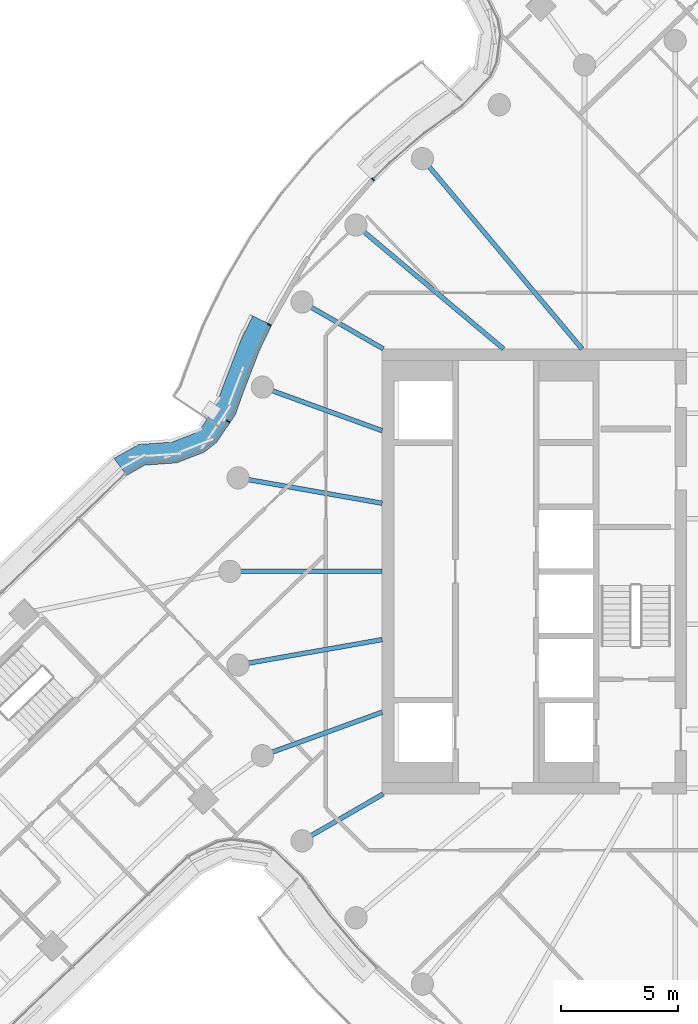
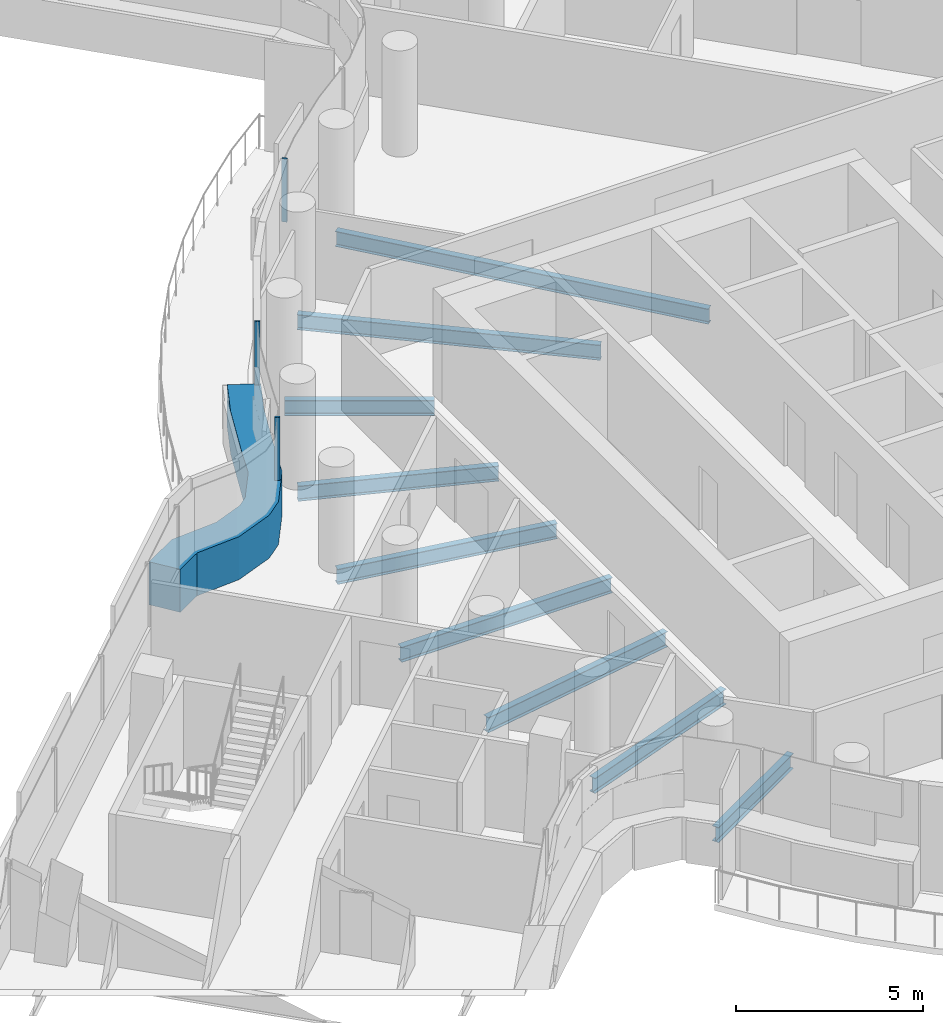
# One storey, part 10 of 34: 9 beams, 4 members, 1 element without a shape of its own.
"""IFC4 building model written with IfcOpenShell, lengths in metres."""

import ifcopenshell
import ifcopenshell.guid

model = None  # the IFC model being written
_history = None  # IfcOwnerHistory: only IFC2X3 demands one
_inside = {}  # id of a spatial element -> (the spatial element, [elements in it])
_under = {}  # id of a project, library or spatial element -> (it, [spatial elements below it])
_declared = {}  # id of a project -> (the project, [libraries it declares])
_typed = {}  # id of a type object -> (the type object, [elements of that type])
_made_of = {}  # id of a material, layer set ... -> (it, [elements and type objects made of it])


def new_model(schema):
    """Start an empty IFC model of exactly this schema.

    Asked for "IFC4X3", IfcOpenShell would pick the latest addendum, in which some entities
    have other attributes; the version numbers below select the first issue.
    IFC2X3 requires an IfcOwnerHistory on every rooted entity: one is made here for all.
    """
    global model, _history
    if schema == "IFC4X3":
        model = ifcopenshell.file(schema_version=(4, 3, 0, 0))
    else:
        model = ifcopenshell.file(schema=schema)
    _inside.clear()
    _under.clear()
    _declared.clear()
    _typed.clear()
    _made_of.clear()
    _history = None
    if model.schema == "IFC2X3":
        org = make("IfcOrganization", Name="unknown")
        user = make(
            "IfcPersonAndOrganization",
            ThePerson=make("IfcPerson", FamilyName="unknown"),
            TheOrganization=org,
        )
        app = make(
            "IfcApplication",
            ApplicationDeveloper=org,
            Version="unknown",
            ApplicationFullName="unknown",
            ApplicationIdentifier="unknown",
        )
        _history = make(
            "IfcOwnerHistory",
            OwningUser=user,
            OwningApplication=app,
            ChangeAction="ADDED",
            CreationDate=0,
        )
    return model


def make(cls, **values):
    """One entity of the class cls with the attributes given. An attribute that is None is left unset."""
    return model.create_entity(
        cls, **{name: value for name, value in values.items() if value is not None}
    )


def rooted(cls, **values):
    """An entity with a GlobalId (a new one), such as an element, a storey or a relation."""
    return make(cls, GlobalId=ifcopenshell.guid.new(), OwnerHistory=_history, **values)


def si_unit(unit_type, name, prefix=None):
    """IfcSIUnit, for example si_unit("LENGTHUNIT", "METRE", prefix="MILLI")."""
    return make("IfcSIUnit", UnitType=unit_type, Prefix=prefix, Name=name)


def assignment(units):
    """IfcUnitAssignment: the units of a project."""
    return None if units is None else make("IfcUnitAssignment", Units=units)


def point(xyz):
    """IfcCartesianPoint."""
    return None if xyz is None else make("IfcCartesianPoint", Coordinates=xyz)


def direction(xyz):
    """IfcDirection."""
    return None if xyz is None else make("IfcDirection", DirectionRatios=xyz)


def frame(location, z_axis=None, x_axis=None):
    """IfcAxis2Placement3D, a coordinate frame: its origin and axes. An axis left out is left unset."""
    return make(
        "IfcAxis2Placement3D",
        Location=point(location),
        Axis=direction(z_axis),
        RefDirection=direction(x_axis),
    )


def frame_2d(location, x_axis=None):
    """IfcAxis2Placement2D, a coordinate frame in the plane: its origin and x axis."""
    return make(
        "IfcAxis2Placement2D", Location=point(location), RefDirection=direction(x_axis)
    )


def origin():
    """The frame at (0, 0, 0) with its axes left unset."""
    return frame((0.0, 0.0, 0.0))


def origin_2d():
    """The frame at (0, 0) in the plane with its x axis left unset."""
    return frame_2d((0.0, 0.0))


def place(relative_to, where):
    """IfcLocalPlacement: puts the frame where relative to a parent placement (None: the world)."""
    return make(
        "IfcLocalPlacement", PlacementRelTo=relative_to, RelativePlacement=where
    )


def context(
    kind, dimensions, precision=None, world=None, true_north=None, identifier=None
):
    """IfcGeometricRepresentationContext, for example the 3D "Model" context."""
    return make(
        "IfcGeometricRepresentationContext",
        ContextIdentifier=identifier,
        ContextType=kind,
        CoordinateSpaceDimension=dimensions,
        Precision=precision,
        WorldCoordinateSystem=world,
        TrueNorth=true_north,
    )


def subcontext(parent, identifier, kind, view, scale=None):
    """IfcGeometricRepresentationSubContext, for example "Body" below "Model"."""
    return make(
        "IfcGeometricRepresentationSubContext",
        ContextIdentifier=identifier,
        ContextType=kind,
        ParentContext=parent,
        TargetScale=scale,
        TargetView=view,
    )


def project(units=None, contexts=None):
    """IfcProject with its units and contexts."""
    return rooted(
        "IfcProject",
        Name="project",
        RepresentationContexts=contexts,
        UnitsInContext=assignment(units),
    )


def spatial(cls, under=None, at=None, **own):
    """A site, building, storey or space (cls), placed at a placement, below another one or the project."""
    s = rooted(cls, ObjectPlacement=at, **own)
    if under is not None:
        _under.setdefault(under.id(), (under, []))[1].append(s)
    return s


def polyline(points):
    """IfcPolyline through the points."""
    return make("IfcPolyline", Points=[point(p) for p in points])


def profile(cls, at=None, kind="AREA", **sizes):
    """A parametric profile (cls). Its sizes go by their IFC names, for example OverallWidth=200.0."""
    return make(cls, ProfileType=kind, Position=at, **sizes)


def rectangle(**sizes):
    """IfcRectangleProfileDef."""
    return profile("IfcRectangleProfileDef", **sizes)


def i_section(**sizes):
    """IfcIShapeProfileDef."""
    return profile("IfcIShapeProfileDef", **sizes)


def outline(outer, holes=None, kind="AREA"):
    """IfcArbitraryClosedProfileDef: a profile drawn as a closed curve; with holes, ...WithVoids."""
    if holes is None:
        return make("IfcArbitraryClosedProfileDef", ProfileType=kind, OuterCurve=outer)
    return make(
        "IfcArbitraryProfileDefWithVoids",
        ProfileType=kind,
        OuterCurve=outer,
        InnerCurves=holes,
    )


def extrude(swept, where, along, depth):
    """IfcExtrudedAreaSolid: the profile swept, set in the frame where, extruded along a direction by depth."""
    return make(
        "IfcExtrudedAreaSolid",
        SweptArea=swept,
        Position=where,
        ExtrudedDirection=direction(along),
        Depth=depth,
    )


def shape(context_of_items, identifier, shape_type, items):
    """IfcShapeRepresentation: the items that make up one representation, for example the "Body"."""
    return make(
        "IfcShapeRepresentation",
        ContextOfItems=context_of_items,
        RepresentationIdentifier=identifier,
        RepresentationType=shape_type,
        Items=items,
    )


def material(Name=None, Category=None):
    """IfcMaterial."""
    return make("IfcMaterial", Name=Name, Category=Category)


def layer(
    of_material, thickness, ventilated=None, Name=None, Category=None, Priority=None
):
    """IfcMaterialLayer: one layer of a wall or slab, of a material (None: an air gap)."""
    return make(
        "IfcMaterialLayer",
        Material=of_material,
        LayerThickness=thickness,
        IsVentilated=ventilated,
        Name=Name,
        Category=Category,
        Priority=Priority,
    )


def layer_set(layers, Name=None):
    """IfcMaterialLayerSet."""
    return make("IfcMaterialLayerSet", MaterialLayers=layers, LayerSetName=Name)


def material_profile(
    of_material, cross_section, Name=None, Category=None, Priority=None
):
    """IfcMaterialProfile: a cross section and its material."""
    return make(
        "IfcMaterialProfile",
        Name=Name,
        Material=of_material,
        Profile=cross_section,
        Priority=Priority,
        Category=Category,
    )


def profile_set(profiles, Name=None, composite=None):
    """IfcMaterialProfileSet."""
    return make(
        "IfcMaterialProfileSet",
        Name=Name,
        MaterialProfiles=profiles,
        CompositeProfile=composite,
    )


def made_of(thing, what):
    """Note that an element or type object is made of a material, layer set ...; save() writes the relation."""
    if what is not None:
        _made_of.setdefault(what.id(), (what, []))[1].append(thing)
    return thing


def type_object(cls, material=None, **own):
    """A type object (cls), such as IfcWallType, which elements share."""
    return made_of(rooted(cls, **own), material)


def element(
    cls,
    number,
    at=None,
    inside=None,
    cuts=None,
    type_object=None,
    material=None,
    context=None,
    identifier="Body",
    shape_type=None,
    held_by="IfcProductDefinitionShape",
    body=None,
    shapes=None,
    **own,
):
    """One element of the class cls, such as IfcWall. Its Tag is "e" and its number.

    at: its placement. inside: the storey or other place that contains it. cuts: it is an
    opening in that element (IfcRelVoidsElement). A single representation is given by context,
    identifier, shape_type and body (its items); several are given by shapes. held_by: the class
    of the entity that holds the representations. save() writes the other relations.
    """
    e = rooted(cls, Tag="e%d" % number, ObjectPlacement=at, **own)
    if body is not None:
        shapes = [shape(context, identifier, shape_type, body)]
    if shapes is not None:
        e.Representation = make(held_by, Representations=shapes)
    if inside is not None:
        _inside.setdefault(inside.id(), (inside, []))[1].append(e)
    if cuts is not None:
        rooted(
            "IfcRelVoidsElement", RelatingBuildingElement=cuts, RelatedOpeningElement=e
        )
    if type_object is not None:
        _typed.setdefault(type_object.id(), (type_object, []))[1].append(e)
    return made_of(e, material)


def aggregate(whole, parts):
    """IfcRelAggregates: a whole, such as a stair, and the parts it consists of."""
    return rooted("IfcRelAggregates", RelatingObject=whole, RelatedObjects=parts)


def save(model, path):
    """Write the relations noted so far, then the file.

    IfcRelAggregates (storeys below a building ...), IfcRelContainedInSpatialStructure (elements
    in a storey), IfcRelDefinesByType, IfcRelAssociatesMaterial and IfcRelDeclares: one each for
    every whole, place, type object, material and project.
    """
    for whole, parts in _under.values():
        aggregate(whole, parts)
    for where, things in _inside.values():
        rooted(
            "IfcRelContainedInSpatialStructure",
            RelatedElements=things,
            RelatingStructure=where,
        )
    for kind, things in _typed.values():
        rooted("IfcRelDefinesByType", RelatedObjects=things, RelatingType=kind)
    for what, things in _made_of.values():
        rooted("IfcRelAssociatesMaterial", RelatedObjects=things, RelatingMaterial=what)
    for by, libraries in _declared.values():
        rooted("IfcRelDeclares", RelatingContext=by, RelatedDefinitions=libraries)
    model.write(path)


model = new_model("IFC4")

# Units and contexts
model_context = context("Model", 3, precision=1e-05, world=origin(), true_north=direction((0.0, 1.0)))
body_context = subcontext(model_context, "Body", "Model", "MODEL_VIEW")
ifc_project = project(units=[si_unit("LENGTHUNIT", "METRE"), si_unit("AREAUNIT", "SQUARE_METRE"), si_unit("VOLUMEUNIT", "CUBIC_METRE"), si_unit("PLANEANGLEUNIT", "RADIAN"), si_unit("MASSUNIT", "GRAM", prefix="KILO")], contexts=[model_context])

# Site, building, storey
site_placement = place(None, origin())
site = spatial("IfcSite", under=ifc_project, at=site_placement, CompositionType="ELEMENT")
building_placement = place(site_placement, origin())
building = spatial("IfcBuilding", under=site, at=building_placement, Name="Tamarind Cross Interchange Tower", CompositionType="ELEMENT")
storey_placement = place(building_placement, frame((0.0, 0.0, 193.300048828125)))
storey = spatial("IfcBuildingStorey", under=building, at=storey_placement, Name="L48", CompositionType="ELEMENT", Elevation=193.300048828125)

# Beams
ifc_material_1 = material(Name="Steel Q355B", Category="steel")
ifc_material_profile_1 = material_profile(ifc_material_1, i_section(OverallWidth=0.198974609375, OverallDepth=0.49609375, WebThickness=0.009033203125, FlangeThickness=0.013916015625, FilletRadius=0.012939453125, at=origin_2d()), Name="HN 496x199x9x14")
ifc_profile_set_1 = profile_set([ifc_material_profile_1], Name="Steel Q355B")
beam_type = type_object("IfcBeamType", Name="Composite beam HN 496x199x9x14 Q355B", PredefinedType="BEAM", material=ifc_profile_set_1)
beam_1_placement = place(storey_placement, frame((-14.7841796875, 17.619140625, -0.387939453125), z_axis=(0.642786293979, -0.766045547127, 0.0), x_axis=(0.766045547127, 0.642786293979, 0.0)))
element("IfcBeam", 1, at=beam_1_placement, inside=storey, type_object=beam_type, Name="Beam HH13", PredefinedType="BEAM", context=body_context, shape_type="SweptSolid", body=[
    extrude(i_section(OverallWidth=0.198974609375, OverallDepth=0.49609375, WebThickness=0.009033203125, FlangeThickness=0.013916015625, FilletRadius=0.012939453125, at=origin_2d()), origin(), (0.0, 0.0, 1.0), 10.598876953125),
])
beam_2_placement = place(storey_placement, frame((-17.619140625, 14.7841796875, -0.387939453125), z_axis=(0.766040580814, -0.642792212574, 0.0), x_axis=(0.642792212574, 0.766040580814, 0.0)))
element("IfcBeam", 2, at=beam_2_placement, inside=storey, type_object=beam_type, Name="Beam HH14", PredefinedType="BEAM", context=body_context, shape_type="SweptSolid", body=[
    extrude(i_section(OverallWidth=0.198974609375, OverallDepth=0.49609375, WebThickness=0.009033203125, FlangeThickness=0.013916015625, FilletRadius=0.012939453125, at=origin_2d()), origin(), (0.0, 0.0, 1.0), 8.220703125),
])
beam_3_placement = place(storey_placement, frame((-19.918701171875, 11.5, -0.387939453125), z_axis=(0.866026010844, -0.49999894854, 0.0), x_axis=(0.49999894854, 0.866026010844, 0.0)))
element("IfcBeam", 3, at=beam_3_placement, inside=storey, type_object=beam_type, Name="Beam HH15", PredefinedType="BEAM", context=body_context, shape_type="SweptSolid", body=[
    extrude(i_section(OverallWidth=0.198974609375, OverallDepth=0.49609375, WebThickness=0.009033203125, FlangeThickness=0.013916015625, FilletRadius=0.012939453125, at=origin_2d()), origin(), (0.0, 0.0, 1.0), 4.0),
])
beam_4_placement = place(storey_placement, frame((-21.613037109375, 7.866455078125, -0.387939453125), z_axis=(0.939701685589, -0.341995236956, 0.0), x_axis=(0.341995236956, 0.939701685589, 0.0)))
element("IfcBeam", 4, at=beam_4_placement, inside=storey, type_object=beam_type, Name="Beam HH16", PredefinedType="BEAM", context=body_context, shape_type="SweptSolid", body=[
    extrude(i_section(OverallWidth=0.198974609375, OverallDepth=0.49609375, WebThickness=0.009033203125, FlangeThickness=0.013916015625, FilletRadius=0.012939453125, at=origin_2d()), origin(), (0.0, 0.0, 1.0), 5.441162109375),
])
beam_5_placement = place(storey_placement, frame((-22.650634765625, 3.993896484375, -0.387939453125), z_axis=(0.984809127561, -0.173640382036, 0.0), x_axis=(0.173640382036, 0.984809127561, 0.0)))
element("IfcBeam", 5, at=beam_5_placement, inside=storey, type_object=beam_type, Name="Beam HH17", PredefinedType="BEAM", context=body_context, shape_type="SweptSolid", body=[
    extrude(i_section(OverallWidth=0.198974609375, OverallDepth=0.49609375, WebThickness=0.009033203125, FlangeThickness=0.013916015625, FilletRadius=0.012939453125, at=origin_2d()), origin(), (0.0, 0.0, 1.0), 6.24560546875),
])
beam_6_placement = place(storey_placement, frame((-23.0, 0.0, -0.387939453125), z_axis=(1.0, 0.0, 0.0), x_axis=(0.0, 1.0, 0.0)))
element("IfcBeam", 6, at=beam_6_placement, inside=storey, type_object=beam_type, Name="Beam HH18", PredefinedType="BEAM", context=body_context, shape_type="SweptSolid", body=[
    extrude(i_section(OverallWidth=0.198974609375, OverallDepth=0.49609375, WebThickness=0.009033203125, FlangeThickness=0.013916015625, FilletRadius=0.012939453125, at=origin_2d()), origin(), (0.0, 0.0, 1.0), 6.5),
])
beam_7_placement = place(storey_placement, frame((-22.650634765625, -3.993896484375, -0.387939453125), z_axis=(0.984809127561, 0.173640382036, 0.0), x_axis=(-0.173640382036, 0.984809127561, 0.0)))
element("IfcBeam", 7, at=beam_7_placement, inside=storey, type_object=beam_type, Name="Beam HH19", PredefinedType="BEAM", context=body_context, shape_type="SweptSolid", body=[
    extrude(i_section(OverallWidth=0.198974609375, OverallDepth=0.49609375, WebThickness=0.009033203125, FlangeThickness=0.013916015625, FilletRadius=0.012939453125, at=origin_2d()), origin(), (0.0, 0.0, 1.0), 6.24560546875),
])
beam_8_placement = place(storey_placement, frame((-21.613037109375, -7.866455078125, -0.387939453125), z_axis=(0.939701685589, 0.341995236956, 0.0), x_axis=(-0.341995236956, 0.939701685589, 0.0)))
element("IfcBeam", 8, at=beam_8_placement, inside=storey, type_object=beam_type, Name="Beam HH20", PredefinedType="BEAM", context=body_context, shape_type="SweptSolid", body=[
    extrude(i_section(OverallWidth=0.198974609375, OverallDepth=0.49609375, WebThickness=0.009033203125, FlangeThickness=0.013916015625, FilletRadius=0.012939453125, at=origin_2d()), origin(), (0.0, 0.0, 1.0), 5.441162109375),
])
beam_9_placement = place(storey_placement, frame((-19.918701171875, -11.5, -0.387939453125), z_axis=(0.866026010844, 0.49999894854, 0.0), x_axis=(-0.49999894854, 0.866026010844, 0.0)))
element("IfcBeam", 9, at=beam_9_placement, inside=storey, type_object=beam_type, Name="Beam HH21", PredefinedType="BEAM", context=body_context, shape_type="SweptSolid", body=[
    extrude(i_section(OverallWidth=0.198974609375, OverallDepth=0.49609375, WebThickness=0.009033203125, FlangeThickness=0.013916015625, FilletRadius=0.012939453125, at=origin_2d()), origin(), (0.0, 0.0, 1.0), 4.0),
])

# Curtain wall, members
ifc_material_2 = material(Name="Aluminium 6063-T6", Category="aluminium")
ifc_layer = layer(ifc_material_2, 0.139892578125)
ifc_layer_set = layer_set([ifc_layer], Name="Aluminium 6063-T6")
curtain_wall_type = type_object("IfcCurtainWallType", Name="Hotel curtain wall, 4.5 m bays", PredefinedType="NOTDEFINED", material=ifc_layer_set)
curtain_wall_placement = place(storey_placement, origin())
curtain_wall = element("IfcCurtainWall", 10, at=curtain_wall_placement, inside=storey, type_object=curtain_wall_type, Name="CWS-L48-10", PredefinedType="NOTDEFINED")
ifc_material_3 = material(Name="Aluminium and insulated spandrel panel", Category="aluminium")
member_type_1 = type_object("IfcMemberType", Name="Floor-edge blade transom", PredefinedType="USERDEFINED", material=ifc_material_3)
member_1_placement = place(storey_placement, origin())
member_1 = element("IfcMember", 11, at=member_1_placement, type_object=member_type_1, Name="CWT-L48-10-1", ObjectType="TRANSOM", PredefinedType="USERDEFINED", context=body_context, shape_type="SweptSolid", body=[
    extrude(outline(polyline([(-21.2158203125, 10.510498046875), (-21.74072265625, 9.425048828125), (-22.447509765625, 7.58984375), (-22.764404296875, 6.691650390625), (-23.5595703125, 5.5126953125), (-24.088623046875, 5.0908203125), (-25.27734375, 4.630859375), (-26.6328125, 4.53369140625), (-27.406494140625, 4.095947265625), (-27.948486328125, 4.823486328125), (-26.8994140625, 5.416748046875), (-25.476318359375, 5.518798828125), (-24.5419921875, 5.88037109375), (-24.228759765625, 6.13037109375), (-23.574951171875, 7.099609375), (-23.2919921875, 7.9013671875), (-22.567138671875, 9.783203125), (-22.022216796875, 10.909912109375), (-21.2158203125, 10.510498046875)])), origin(), (0.0, 0.0, 1.0), 1.39990234375),
])
ifc_material_profile_2 = material_profile(ifc_material_2, rectangle(XDim=0.06005859375, YDim=0.139892578125, at=origin_2d()), Name="Mullion CW2")
ifc_profile_set_2 = profile_set([ifc_material_profile_2], Name="Aluminium 6063-T6")
member_type_2 = type_object("IfcMemberType", Name="Mullion CW2", PredefinedType="MULLION", material=ifc_profile_set_2)
member_2_placement = place(storey_placement, frame((-16.89794921875, 16.72509765625, 1.39990234375), z_axis=(0.0, 0.0, 1.0), x_axis=(-0.704057148523, -0.710143317658, 0.0)))
member_2 = element("IfcMember", 12, at=member_2_placement, type_object=member_type_2, Name="CWM-L48-10-02", PredefinedType="MULLION", context=body_context, shape_type="SweptSolid", body=[
    extrude(rectangle(XDim=0.06005859375, YDim=0.139892578125, at=origin_2d()), origin(), (0.0, 0.0, 1.0), 2.06005859375),
])
member_3_placement = place(storey_placement, frame((-21.318359375, 10.528076171875, 1.39990234375), z_axis=(0.0, 0.0, 1.0), x_axis=(-0.435326231914, -0.900272776334, 0.0)))
member_3 = element("IfcMember", 13, at=member_3_placement, type_object=member_type_2, Name="CWM-L48-10-03", PredefinedType="MULLION", context=body_context, shape_type="SweptSolid", body=[
    extrude(rectangle(XDim=0.06005859375, YDim=0.139892578125, at=origin_2d()), origin(), (0.0, 0.0, 1.0), 2.06005859375),
])
member_4_placement = place(storey_placement, frame((-23.0791015625, 6.40380859375, 1.39990234375), z_axis=(0.0, 0.0, 1.0), x_axis=(-0.559224583515, -0.829016203215, 0.0)))
member_4 = element("IfcMember", 14, at=member_4_placement, type_object=member_type_2, Name="CWM-L48-10-04", PredefinedType="MULLION", context=body_context, shape_type="SweptSolid", body=[
    extrude(rectangle(XDim=0.06005859375, YDim=0.139892578125, at=origin_2d()), origin(), (0.0, 0.0, 1.0), 2.06005859375),
])
aggregate(curtain_wall, [member_2, member_3, member_4, member_1])

save(model, "model.ifc")
